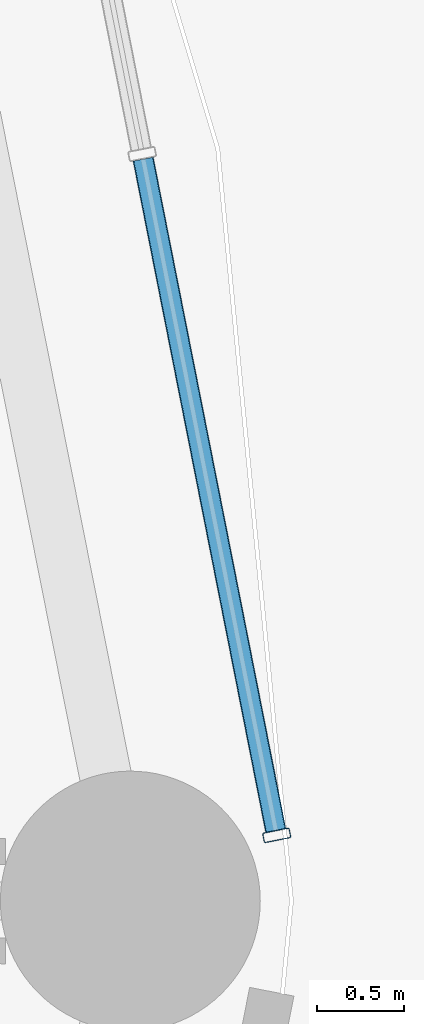
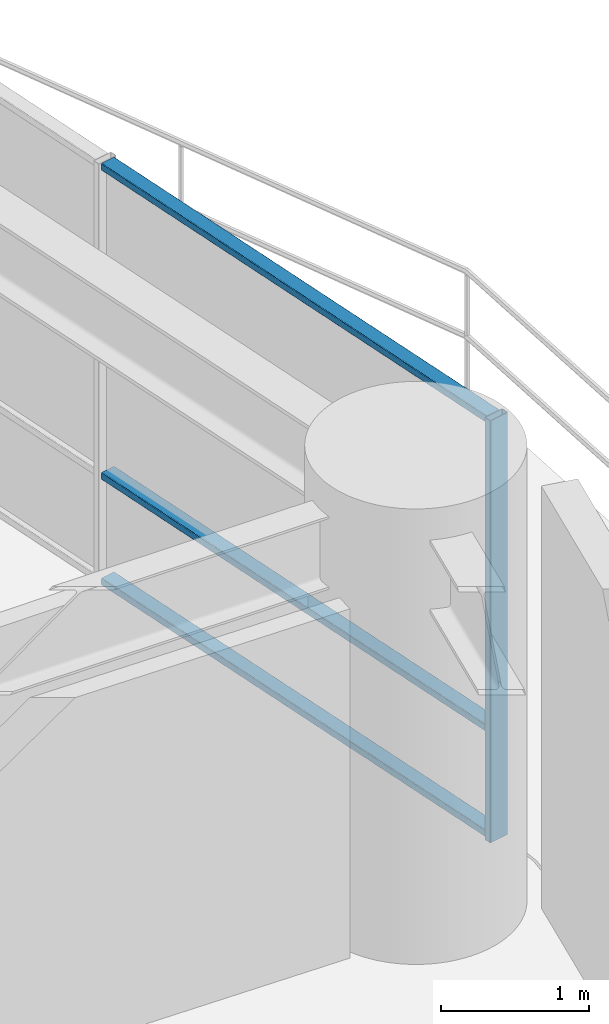
# One storey, part 14 of 33: 4 members, 1 element without a shape of its own.
"""IFC4 building model written with IfcOpenShell, lengths in metres."""

from ifc_helpers import new_model, si_unit, direction, frame, origin, origin_2d, place, context, subcontext, project, spatial, hollow_rectangle, extrude, material, layer, layer_set, material_profile, profile_set, type_object, element, aggregate, save


model = new_model("IFC4")

# Units and contexts
model_context = context("Model", 3, precision=1e-05, world=origin(), true_north=direction((0.0, 1.0)))
body_context = subcontext(model_context, "Body", "Model", "MODEL_VIEW")
ifc_project = project(units=[si_unit("LENGTHUNIT", "METRE"), si_unit("AREAUNIT", "SQUARE_METRE"), si_unit("VOLUMEUNIT", "CUBIC_METRE"), si_unit("PLANEANGLEUNIT", "RADIAN"), si_unit("MASSUNIT", "GRAM", prefix="KILO")], contexts=[model_context])

# Site, building, storey
site_placement = place(None, origin())
site = spatial("IfcSite", under=ifc_project, at=site_placement, CompositionType="ELEMENT")
building_placement = place(site_placement, origin())
building = spatial("IfcBuilding", under=site, at=building_placement, Name="Kelanora Arch Commons", CompositionType="ELEMENT")
storey_placement = place(building_placement, frame((0.0, 0.0, 26.25)))
storey = spatial("IfcBuildingStorey", under=building, at=storey_placement, Name="L06", CompositionType="ELEMENT", Elevation=26.25)

# Curtain wall, members
ifc_material_1 = material(Name="Terracotta ceramic-fritted low-E glass and aluminium", Category="masonry")
ifc_layer = layer(ifc_material_1, 0.159912109375)
ifc_layer_set = layer_set([ifc_layer], Name="Terracotta ceramic-fritted low-E glass and aluminium")
curtain_wall_type = type_object("IfcCurtainWallType", Name="CW-SYS-01", PredefinedType="NOTDEFINED", material=ifc_layer_set)
curtain_wall_placement = place(storey_placement, origin())
curtain_wall = element("IfcCurtainWall", 1, at=curtain_wall_placement, inside=storey, type_object=curtain_wall_type, Name="Unitised Curtain Wall L06-B00", PredefinedType="NOTDEFINED")
ifc_material_2 = material(Name="Powder-coated aluminium terracotta", Category="masonry")
ifc_material_profile_1 = material_profile(ifc_material_2, hollow_rectangle(XDim=0.159912109375, YDim=0.06005859375, WallThickness=0.0048828125, InnerFilletRadius=0.0048828125, OuterFilletRadius=0.010009765625, at=origin_2d()), Name="CWM160x60")
ifc_profile_set_1 = profile_set([ifc_material_profile_1], Name="Powder-coated aluminium terracotta")
member_type_1 = type_object("IfcMemberType", Name="CWM-STD", PredefinedType="MULLION", material=ifc_profile_set_1)
member_1_placement = place(storey_placement, frame((101.925048828125, 58.379150390625, 0.0), z_axis=(0.0, 0.0, 1.0), x_axis=(-0.981052110579, -0.193744048498, 0.0)))
member_1 = element("IfcMember", 2, at=member_1_placement, type_object=member_type_1, Name="CW-01 mullion 1", PredefinedType="MULLION", context=body_context, shape_type="SweptSolid", body=[
    extrude(hollow_rectangle(XDim=0.159912109375, YDim=0.06005859375, WallThickness=0.0048828125, InnerFilletRadius=0.0048828125, OuterFilletRadius=0.010009765625, at=origin_2d()), origin(), (0.0, 0.0, 1.0), 3.47509765625),
])
ifc_material_profile_2 = material_profile(ifc_material_2, hollow_rectangle(XDim=0.1201171875, YDim=0.06005859375, WallThickness=0.0048828125, InnerFilletRadius=0.0048828125, OuterFilletRadius=0.010009765625, at=origin_2d()), Name="CWT120x60")
ifc_profile_set_2 = profile_set([ifc_material_profile_2], Name="Powder-coated aluminium terracotta")
member_type_2 = type_object("IfcMemberType", Name="CWT-STD", PredefinedType="USERDEFINED", material=ifc_profile_set_2)
member_2_placement = place(storey_placement, frame((101.919189453125, 58.408447265625, 0.030029296875), z_axis=(-0.193725436624, 0.98105578598, 0.0), x_axis=(-0.98105578598, -0.193725436624, 0.0)))
member_2 = element("IfcMember", 3, at=member_2_placement, type_object=member_type_2, Name="CW-01 transom 1.1", ObjectType="TRANSOM", PredefinedType="USERDEFINED", context=body_context, shape_type="SweptSolid", body=[
    extrude(hollow_rectangle(XDim=0.1201171875, YDim=0.06005859375, WallThickness=0.0048828125, InnerFilletRadius=0.0048828125, OuterFilletRadius=0.010009765625, at=origin_2d()), origin(), (0.0, 0.0, 1.0), 3.9482421875),
])
member_3_placement = place(storey_placement, frame((101.919189453125, 58.408447265625, 0.89990234375), z_axis=(-0.193725436624, 0.98105578598, 0.0), x_axis=(-0.98105578598, -0.193725436624, 0.0)))
member_3 = element("IfcMember", 4, at=member_3_placement, type_object=member_type_2, Name="CW-01 transom 1.2", ObjectType="TRANSOM", PredefinedType="USERDEFINED", context=body_context, shape_type="SweptSolid", body=[
    extrude(hollow_rectangle(XDim=0.1201171875, YDim=0.06005859375, WallThickness=0.0048828125, InnerFilletRadius=0.0048828125, OuterFilletRadius=0.010009765625, at=origin_2d()), origin(), (0.0, 0.0, 1.0), 3.9482421875),
])
member_4_placement = place(storey_placement, frame((101.919189453125, 58.408447265625, 3.445068359375), z_axis=(-0.193725436624, 0.98105578598, 0.0), x_axis=(-0.98105578598, -0.193725436624, 0.0)))
member_4 = element("IfcMember", 5, at=member_4_placement, type_object=member_type_2, Name="CW-01 transom 1.3", ObjectType="TRANSOM", PredefinedType="USERDEFINED", context=body_context, shape_type="SweptSolid", body=[
    extrude(hollow_rectangle(XDim=0.1201171875, YDim=0.06005859375, WallThickness=0.0048828125, InnerFilletRadius=0.0048828125, OuterFilletRadius=0.010009765625, at=origin_2d()), origin(), (0.0, 0.0, 1.0), 3.9482421875),
])
aggregate(curtain_wall, [member_1, member_2, member_3, member_4])

save(model, "model.ifc")
